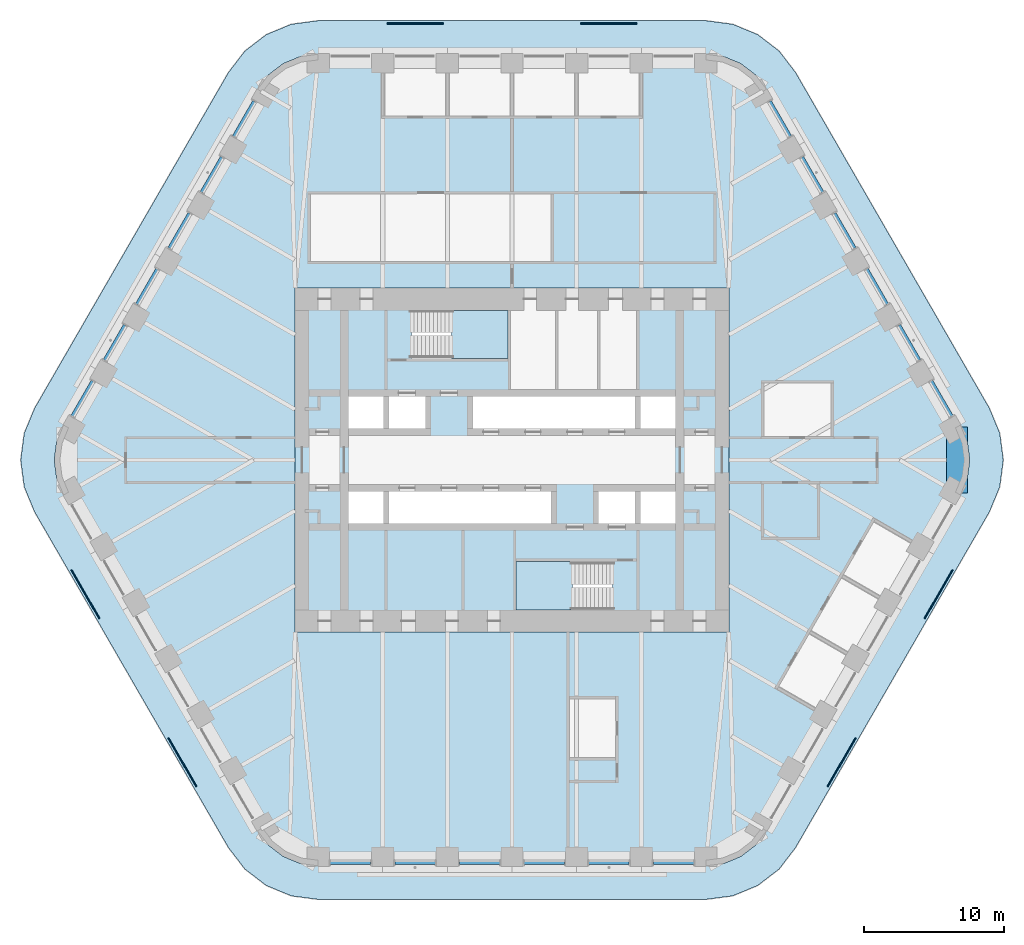
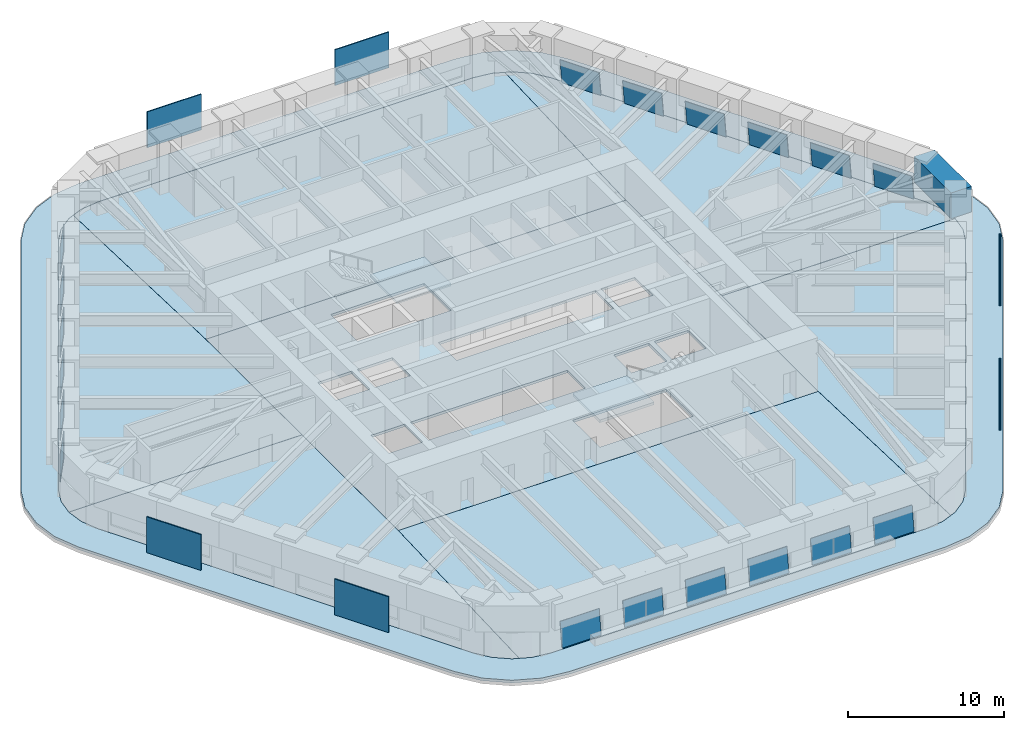
# One storey, part 13 of 20: 24 plates, 10 slabs, 1 beam, 20 elements without a shape of their own.
"""IFC4 building model written with IfcOpenShell, lengths in metres."""

from ifc_helpers import new_model, si_unit, direction, frame, origin, origin_2d, place, context, subcontext, project, spatial, polyline, rectangle, outline, extrude, material, layer, layer_set, material_profile, profile_set, type_object, element, aggregate, save


model = new_model("IFC4")

# Units and contexts
model_context = context("Model", 3, precision=1e-05, world=origin(), true_north=direction((0.0, 1.0)))
body_context = subcontext(model_context, "Body", "Model", "MODEL_VIEW")
ifc_project = project(units=[si_unit("LENGTHUNIT", "METRE"), si_unit("AREAUNIT", "SQUARE_METRE"), si_unit("VOLUMEUNIT", "CUBIC_METRE"), si_unit("PLANEANGLEUNIT", "RADIAN"), si_unit("MASSUNIT", "GRAM", prefix="KILO")], contexts=[model_context])

# Site, building, storey
site_placement = place(None, origin())
site = spatial("IfcSite", under=ifc_project, at=site_placement, CompositionType="ELEMENT")
building_placement = place(site_placement, origin())
building = spatial("IfcBuilding", under=site, at=building_placement, Name="Tarfa Lantern Tower", CompositionType="ELEMENT")
storey_placement = place(building_placement, frame((0.0, 0.0, 223.89990234375)))
storey = spatial("IfcBuildingStorey", under=building, at=storey_placement, Name="L50", CompositionType="ELEMENT", Elevation=223.89990234375)

# Beam
ifc_material_1 = material(Name="Concrete C80/95", Category="concrete")
ifc_material_profile = material_profile(ifc_material_1, rectangle(XDim=1.5, YDim=2.0, at=origin_2d()), Name="RC 1500x2000")
ifc_profile_set = profile_set([ifc_material_profile], Name="Concrete C80/95")
beam_type = type_object("IfcBeamType", Name="RB3 RC 1500x2000", PredefinedType="BEAM", material=ifc_profile_set)
beam_placement = place(storey_placement, frame((31.800537109375, -2.360107421875, 3.0), z_axis=(0.0, 1.0, 0.0), x_axis=(-1.0, 0.0, 0.0)))
element("IfcBeam", 1, at=beam_placement, inside=storey, type_object=beam_type, Name="Edge beam SE6", PredefinedType="BEAM", context=body_context, shape_type="SweptSolid", body=[
    extrude(rectangle(XDim=1.5, YDim=2.0, at=origin_2d()), origin(), (0.0, 0.0, 1.0), 4.72021484375),
])

# Slab
ifc_material_2 = material(Name="Concrete C40/50", Category="concrete")
ifc_layer_1 = layer(ifc_material_2, 0.199951171875)
ifc_layer_set_1 = layer_set([ifc_layer_1], Name="BS2 BALCONY SLAB 200")
slab_type_1 = type_object("IfcSlabType", Name="BS2 BALCONY SLAB 200", PredefinedType="FLOOR", material=ifc_layer_set_1)
slab_1_placement = place(storey_placement, frame((0.0, 0.0, -0.199951171875)))
element("IfcSlab", 2, at=slab_1_placement, inside=storey, type_object=slab_type_1, Name="Planted ledge L50", PredefinedType="FLOOR", context=body_context, shape_type="SweptSolid", body=[
    extrude(outline(polyline([(34.121337890625, 3.699951171875), (20.264892578125, 27.699951171875), (19.089111328125, 29.232666015625), (17.556396484375, 30.40869140625), (15.771728515625, 31.14794921875), (13.8564453125, 31.39990234375), (-13.8564453125, 31.39990234375), (-15.771728515625, 31.14794921875), (-17.556396484375, 30.40869140625), (-19.089111328125, 29.232666015625), (-20.264892578125, 27.699951171875), (-34.121337890625, 3.699951171875), (-34.860595703125, 1.915283203125), (-35.11279296875, 0.0), (-34.860595703125, -1.915283203125), (-34.121337890625, -3.699951171875), (-20.264892578125, -27.699951171875), (-19.089111328125, -29.232666015625), (-17.556396484375, -30.40869140625), (-15.771728515625, -31.14794921875), (-13.8564453125, -31.39990234375), (13.8564453125, -31.39990234375), (15.771728515625, -31.14794921875), (17.556396484375, -30.40869140625), (19.089111328125, -29.232666015625), (20.264892578125, -27.699951171875), (34.121337890625, -3.699951171875), (34.860595703125, -1.915283203125), (35.11279296875, 0.0), (34.860595703125, 1.915283203125), (34.121337890625, 3.699951171875)]), holes=[polyline([(32.04296875, 2.5), (18.1865234375, 26.5), (17.391845703125, 27.53564453125), (16.3564453125, 28.330078125), (15.150390625, 28.82958984375), (13.8564453125, 29.0), (-13.8564453125, 29.0), (-15.150390625, 28.82958984375), (-16.3564453125, 28.330078125), (-17.391845703125, 27.53564453125), (-18.1865234375, 26.5), (-32.04296875, 2.5), (-32.54248046875, 1.294189453125), (-32.712890625, 0.0), (-32.54248046875, -1.294189453125), (-32.04296875, -2.5), (-18.1865234375, -26.5), (-17.391845703125, -27.53564453125), (-16.3564453125, -28.330078125), (-15.150390625, -28.82958984375), (-13.8564453125, -29.0), (13.8564453125, -29.0), (15.150390625, -28.82958984375), (16.3564453125, -28.330078125), (17.391845703125, -27.53564453125), (18.1865234375, -26.5), (32.04296875, -2.5), (32.54248046875, -1.294189453125), (32.712890625, 0.0), (32.54248046875, 1.294189453125), (32.04296875, 2.5)])]), origin(), (0.0, 0.0, 1.0), 0.199951171875),
])

# Curtain wall, plate
ifc_material_3 = material(Name="Aluminium framed curtain wall", Category="aluminium")
curtain_wall_type = type_object("IfcCurtainWallType", Name="CW3 CANTED GLAZING HIGH ZONE 2000", PredefinedType="USERDEFINED", material=ifc_material_3)
curtain_wall_1_placement = place(storey_placement, origin())
curtain_wall_1 = element("IfcCurtainWall", 3, at=curtain_wall_1_placement, inside=storey, type_object=curtain_wall_type, Name="CW3 NE L50", ObjectType="CURTAIN WALL", PredefinedType="USERDEFINED")
ifc_material_4 = material(Name="Laminated double glazing", Category="glass")
ifc_layer_2 = layer(ifc_material_4, 0.028076171875)
ifc_layer_set_2 = layer_set([ifc_layer_2], Name="CWP1 DOUBLE GLAZED PANEL")
plate_type_1 = type_object("IfcPlateType", Name="CWP1 DOUBLE GLAZED PANEL", PredefinedType="CURTAIN_PANEL", material=ifc_layer_set_2)
plate_1_placement = place(storey_placement, frame((31.52392578125, 3.19921875, 0.0), z_axis=(0.859301462818, 0.496192715477, 0.124071693411), x_axis=(-0.500056524144, 0.865992767095, 0.0)))
plate_1 = element("IfcPlate", 4, at=plate_1_placement, type_object=plate_type_1, Name="CW3 panel 1.1", PredefinedType="CURTAIN_PANEL", context=body_context, shape_type="SweptSolid", body=[
    extrude(outline(polyline([(0.0, 0.0), (2.888833578560424, -2.7755575615628914e-17), (2.88871543530755, 1.950126723393481), (-0.000118143252874362, 1.950126723393481), (0.0, 0.0)])), origin(), (0.0, 0.0, -1.0), 0.028076171875),
])
aggregate(curtain_wall_1, [plate_1])

curtain_wall_2_placement = place(storey_placement, origin())
curtain_wall_2 = element("IfcCurtainWall", 5, at=curtain_wall_2_placement, inside=storey, type_object=curtain_wall_type, Name="CW3 NE L50", ObjectType="CURTAIN WALL", PredefinedType="USERDEFINED")
plate_2_placement = place(storey_placement, frame((29.21435546875, 7.19921875, 0.0), z_axis=(0.859337777236, 0.496129822399, 0.124071688718), x_axis=(-0.499993141028, 0.866029363778, 0.0)))
plate_2 = element("IfcPlate", 6, at=plate_2_placement, type_object=plate_type_1, Name="CW3 panel 1.1", PredefinedType="CURTAIN_PANEL", context=body_context, shape_type="SweptSolid", body=[
    extrude(outline(polyline([(0.0, 0.0), (2.8887115021851173, 2.7755575615628914e-17), (2.8885756502729745, 1.9501267222402445), (-0.00013585191214296466, 1.9501267222402445), (0.0, 0.0)])), origin(), (0.0, 0.0, -1.0), 0.028076171875),
])
aggregate(curtain_wall_2, [plate_2])

curtain_wall_3_placement = place(storey_placement, origin())
curtain_wall_3 = element("IfcCurtainWall", 7, at=curtain_wall_3_placement, inside=storey, type_object=curtain_wall_type, Name="CW3 NE L50", ObjectType="CURTAIN WALL", PredefinedType="USERDEFINED")
plate_3_placement = place(storey_placement, frame((26.905029296875, 11.19921875, 0.0), z_axis=(0.859337777236, 0.496129822399, 0.124071688718), x_axis=(-0.499993141028, 0.866029363778, 0.0)))
plate_3 = element("IfcPlate", 8, at=plate_3_placement, type_object=plate_type_1, Name="CW3 panel 1.1", PredefinedType="CURTAIN_PANEL", context=body_context, shape_type="SweptSolid", body=[
    extrude(outline(polyline([(0.0, 0.0), (2.8887115021851173, 2.7755575615628914e-17), (2.8885756502729745, 1.9501267222402445), (-0.00013585191214296466, 1.9501267222402445), (0.0, 0.0)])), origin(), (0.0, 0.0, -1.0), 0.028076171875),
])
aggregate(curtain_wall_3, [plate_3])

curtain_wall_4_placement = place(storey_placement, origin())
curtain_wall_4 = element("IfcCurtainWall", 9, at=curtain_wall_4_placement, inside=storey, type_object=curtain_wall_type, Name="CW3 NE L50", ObjectType="CURTAIN WALL", PredefinedType="USERDEFINED")
plate_4_placement = place(storey_placement, frame((24.595703125, 15.19921875, 0.0), z_axis=(0.859301462818, 0.496192715477, 0.124071693411), x_axis=(-0.500056524144, 0.865992767095, 0.0)))
plate_4 = element("IfcPlate", 10, at=plate_4_placement, type_object=plate_type_1, Name="CW3 panel 1.1", PredefinedType="CURTAIN_PANEL", context=body_context, shape_type="SweptSolid", body=[
    extrude(outline(polyline([(0.0, 0.0), (2.888833578560424, -2.7755575615628914e-17), (2.88871543530755, 1.950126723393481), (-0.000118143252874362, 1.950126723393481), (0.0, 0.0)])), origin(), (0.0, 0.0, -1.0), 0.028076171875),
])
aggregate(curtain_wall_4, [plate_4])

curtain_wall_5_placement = place(storey_placement, origin())
curtain_wall_5 = element("IfcCurtainWall", 11, at=curtain_wall_5_placement, inside=storey, type_object=curtain_wall_type, Name="CW3 NE L50", ObjectType="CURTAIN WALL", PredefinedType="USERDEFINED")
plate_5_placement = place(storey_placement, frame((22.2861328125, 19.19921875, 0.0), z_axis=(0.859337777236, 0.496129822399, 0.124071688718), x_axis=(-0.499993141028, 0.866029363778, 0.0)))
plate_5 = element("IfcPlate", 12, at=plate_5_placement, type_object=plate_type_1, Name="CW3 panel 1.1", PredefinedType="CURTAIN_PANEL", context=body_context, shape_type="SweptSolid", body=[
    extrude(outline(polyline([(0.0, 0.0), (2.8887115021851173, 2.7755575615628914e-17), (2.8885756502729745, 1.9501267222402445), (-0.00013585191214296466, 1.9501267222402445), (0.0, 0.0)])), origin(), (0.0, 0.0, -1.0), 0.028076171875),
])
aggregate(curtain_wall_5, [plate_5])

curtain_wall_6_placement = place(storey_placement, origin())
curtain_wall_6 = element("IfcCurtainWall", 13, at=curtain_wall_6_placement, inside=storey, type_object=curtain_wall_type, Name="CW3 NE L50", ObjectType="CURTAIN WALL", PredefinedType="USERDEFINED")
plate_6_placement = place(storey_placement, frame((19.976806640625, 23.19921875, 0.0), z_axis=(0.859337777236, 0.496129822399, 0.124071688718), x_axis=(-0.499993141028, 0.866029363778, 0.0)))
plate_6 = element("IfcPlate", 14, at=plate_6_placement, type_object=plate_type_1, Name="CW3 panel 1.1", PredefinedType="CURTAIN_PANEL", context=body_context, shape_type="SweptSolid", body=[
    extrude(outline(polyline([(0.0, 0.0), (2.8887115021851173, 2.7755575615628914e-17), (2.8885756502729745, 1.9501267222402445), (-0.00013585191214296466, 1.9501267222402445), (0.0, 0.0)])), origin(), (0.0, 0.0, -1.0), 0.028076171875),
])
aggregate(curtain_wall_6, [plate_6])

curtain_wall_7_placement = place(storey_placement, origin())
curtain_wall_7 = element("IfcCurtainWall", 15, at=curtain_wall_7_placement, inside=storey, type_object=curtain_wall_type, Name="CW3 NW L50", ObjectType="CURTAIN WALL", PredefinedType="USERDEFINED")
plate_7_placement = place(storey_placement, frame((-18.532470703125, 25.700927734375, 0.0), z_axis=(-0.859337777236, 0.496129822399, 0.124071688718), x_axis=(-0.499993141028, -0.866029363778, 0.0)))
plate_7 = element("IfcPlate", 16, at=plate_7_placement, type_object=plate_type_1, Name="CW3 panel 1.1", PredefinedType="CURTAIN_PANEL", context=body_context, shape_type="SweptSolid", body=[
    extrude(outline(polyline([(0.0, 0.0), (2.8887115021851173, -2.7755575615628914e-17), (2.888847354097261, 1.9501267222402445), (0.00013585191214296466, 1.9501267222402445), (0.0, 0.0)])), origin(), (0.0, 0.0, -1.0), 0.028076171875),
])
aggregate(curtain_wall_7, [plate_7])

curtain_wall_8_placement = place(storey_placement, origin())
curtain_wall_8 = element("IfcCurtainWall", 17, at=curtain_wall_8_placement, inside=storey, type_object=curtain_wall_type, Name="CW3 NW L50", ObjectType="CURTAIN WALL", PredefinedType="USERDEFINED")
plate_8_placement = place(storey_placement, frame((-20.841796875, 21.700927734375, 0.0), z_axis=(-0.859337777236, 0.496129822399, 0.124071688718), x_axis=(-0.499993141028, -0.866029363778, 0.0)))
plate_8 = element("IfcPlate", 18, at=plate_8_placement, type_object=plate_type_1, Name="CW3 panel 1.1", PredefinedType="CURTAIN_PANEL", context=body_context, shape_type="SweptSolid", body=[
    extrude(outline(polyline([(0.0, 0.0), (2.8887115021851173, -2.7755575615628914e-17), (2.888847354097261, 1.9501267222402445), (0.00013585191214296466, 1.9501267222402445), (0.0, 0.0)])), origin(), (0.0, 0.0, -1.0), 0.028076171875),
])
aggregate(curtain_wall_8, [plate_8])

curtain_wall_9_placement = place(storey_placement, origin())
curtain_wall_9 = element("IfcCurtainWall", 19, at=curtain_wall_9_placement, inside=storey, type_object=curtain_wall_type, Name="CW3 NW L50", ObjectType="CURTAIN WALL", PredefinedType="USERDEFINED")
plate_9_placement = place(storey_placement, frame((-23.151123046875, 17.700927734375, 0.0), z_axis=(-0.859301462818, 0.496192715477, 0.124071693411), x_axis=(-0.500056524144, -0.865992767095, 0.0)))
plate_9 = element("IfcPlate", 20, at=plate_9_placement, type_object=plate_type_1, Name="CW3 panel 1.1", PredefinedType="CURTAIN_PANEL", context=body_context, shape_type="SweptSolid", body=[
    extrude(outline(polyline([(0.0, 0.0), (2.888833578560424, 2.7755575615628914e-17), (2.8889517218132985, 1.950126723393481), (0.000118143252874362, 1.950126723393481), (0.0, 0.0)])), origin(), (0.0, 0.0, -1.0), 0.028076171875),
])
aggregate(curtain_wall_9, [plate_9])

curtain_wall_10_placement = place(storey_placement, origin())
curtain_wall_10 = element("IfcCurtainWall", 21, at=curtain_wall_10_placement, inside=storey, type_object=curtain_wall_type, Name="CW3 NW L50", ObjectType="CURTAIN WALL", PredefinedType="USERDEFINED")
plate_10_placement = place(storey_placement, frame((-25.460693359375, 13.700927734375, 0.0), z_axis=(-0.859337777236, 0.496129822399, 0.124071688718), x_axis=(-0.499993141028, -0.866029363778, 0.0)))
plate_10 = element("IfcPlate", 22, at=plate_10_placement, type_object=plate_type_1, Name="CW3 panel 1.1", PredefinedType="CURTAIN_PANEL", context=body_context, shape_type="SweptSolid", body=[
    extrude(outline(polyline([(0.0, 0.0), (2.8887115021851173, -2.7755575615628914e-17), (2.888847354097261, 1.9501267222402445), (0.00013585191214296466, 1.9501267222402445), (0.0, 0.0)])), origin(), (0.0, 0.0, -1.0), 0.028076171875),
])
aggregate(curtain_wall_10, [plate_10])

curtain_wall_11_placement = place(storey_placement, origin())
curtain_wall_11 = element("IfcCurtainWall", 23, at=curtain_wall_11_placement, inside=storey, type_object=curtain_wall_type, Name="CW3 NW L50", ObjectType="CURTAIN WALL", PredefinedType="USERDEFINED")
plate_11_placement = place(storey_placement, frame((-27.77001953125, 9.700927734375, 0.0), z_axis=(-0.859337777236, 0.496129822399, 0.124071688718), x_axis=(-0.499993141028, -0.866029363778, 0.0)))
plate_11 = element("IfcPlate", 24, at=plate_11_placement, type_object=plate_type_1, Name="CW3 panel 1.1", PredefinedType="CURTAIN_PANEL", context=body_context, shape_type="SweptSolid", body=[
    extrude(outline(polyline([(0.0, 0.0), (2.8887115021851173, -2.7755575615628914e-17), (2.888847354097261, 1.9501267222402445), (0.00013585191214296466, 1.9501267222402445), (0.0, 0.0)])), origin(), (0.0, 0.0, -1.0), 0.028076171875),
])
aggregate(curtain_wall_11, [plate_11])

curtain_wall_12_placement = place(storey_placement, origin())
curtain_wall_12 = element("IfcCurtainWall", 25, at=curtain_wall_12_placement, inside=storey, type_object=curtain_wall_type, Name="CW3 NW L50", ObjectType="CURTAIN WALL", PredefinedType="USERDEFINED")
plate_12_placement = place(storey_placement, frame((-30.079345703125, 5.700927734375, 0.0), z_axis=(-0.859301462818, 0.496192715477, 0.124071693411), x_axis=(-0.500056524144, -0.865992767095, 0.0)))
plate_12 = element("IfcPlate", 26, at=plate_12_placement, type_object=plate_type_1, Name="CW3 panel 1.1", PredefinedType="CURTAIN_PANEL", context=body_context, shape_type="SweptSolid", body=[
    extrude(outline(polyline([(0.0, 0.0), (2.888833578560424, 2.7755575615628914e-17), (2.8889517218132985, 1.950126723393481), (0.000118143252874362, 1.950126723393481), (0.0, 0.0)])), origin(), (0.0, 0.0, -1.0), 0.028076171875),
])
aggregate(curtain_wall_12, [plate_12])

curtain_wall_13_placement = place(storey_placement, origin())
curtain_wall_13 = element("IfcCurtainWall", 27, at=curtain_wall_13_placement, inside=storey, type_object=curtain_wall_type, Name="CW3 S L50", ObjectType="CURTAIN WALL", PredefinedType="USERDEFINED")
plate_13_placement = place(storey_placement, frame((-12.991455078125, -28.89990234375, 0.0), z_axis=(0.0, -0.992289428797, 0.123942282931), x_axis=(1.0, 0.0, 0.0)))
plate_13 = element("IfcPlate", 28, at=plate_13_placement, type_object=plate_type_1, Name="CW3 panel 1.1", PredefinedType="CURTAIN_PANEL", context=body_context, shape_type="SweptSolid", body=[
    extrude(outline(polyline([(0.0, 0.0), (2.888916015625, 0.0), (2.888916015625, 1.9500949396350138), (0.0, 1.9500949396350138), (0.0, 0.0)])), origin(), (0.0, 0.0, -1.0), 0.028076171875),
])
aggregate(curtain_wall_13, [plate_13])

curtain_wall_14_placement = place(storey_placement, origin())
curtain_wall_14 = element("IfcCurtainWall", 29, at=curtain_wall_14_placement, inside=storey, type_object=curtain_wall_type, Name="CW3 S L50", ObjectType="CURTAIN WALL", PredefinedType="USERDEFINED")
plate_14_placement = place(storey_placement, frame((-8.37255859375, -28.89990234375, 0.0), z_axis=(0.0, -0.992289428797, 0.123942282931), x_axis=(1.0, 0.0, 0.0)))
plate_14 = element("IfcPlate", 30, at=plate_14_placement, type_object=plate_type_1, Name="CW3 panel 1.1", PredefinedType="CURTAIN_PANEL", context=body_context, shape_type="SweptSolid", body=[
    extrude(outline(polyline([(0.0, 0.0), (2.888671875, 0.0), (2.888671875, 1.9500949396350138), (0.0, 1.9500949396350138), (0.0, 0.0)])), origin(), (0.0, 0.0, -1.0), 0.028076171875),
])
aggregate(curtain_wall_14, [plate_14])

curtain_wall_15_placement = place(storey_placement, origin())
curtain_wall_15 = element("IfcCurtainWall", 31, at=curtain_wall_15_placement, inside=storey, type_object=curtain_wall_type, Name="CW3 S L50", ObjectType="CURTAIN WALL", PredefinedType="USERDEFINED")
plate_15_placement = place(storey_placement, frame((-3.75390625, -28.89990234375, 0.0), z_axis=(0.0, -0.992289428797, 0.123942282931), x_axis=(1.0, 0.0, 0.0)))
plate_15 = element("IfcPlate", 32, at=plate_15_placement, type_object=plate_type_1, Name="CW3 panel 1.1", PredefinedType="CURTAIN_PANEL", context=body_context, shape_type="SweptSolid", body=[
    extrude(outline(polyline([(0.0, 0.0), (2.888916015625, 0.0), (2.888916015625, 1.9500949396350138), (0.0, 1.9500949396350138), (0.0, 0.0)])), origin(), (0.0, 0.0, -1.0), 0.028076171875),
])
aggregate(curtain_wall_15, [plate_15])

curtain_wall_16_placement = place(storey_placement, origin())
curtain_wall_16 = element("IfcCurtainWall", 33, at=curtain_wall_16_placement, inside=storey, type_object=curtain_wall_type, Name="CW3 S L50", ObjectType="CURTAIN WALL", PredefinedType="USERDEFINED")
plate_16_placement = place(storey_placement, frame((0.864990234375, -28.89990234375, 0.0), z_axis=(0.0, -0.992289428797, 0.123942282931), x_axis=(1.0, 0.0, 0.0)))
plate_16 = element("IfcPlate", 34, at=plate_16_placement, type_object=plate_type_1, Name="CW3 panel 1.1", PredefinedType="CURTAIN_PANEL", context=body_context, shape_type="SweptSolid", body=[
    extrude(outline(polyline([(0.0, 0.0), (2.888916015625, 0.0), (2.888916015625, 1.9500949396350138), (0.0, 1.9500949396350138), (0.0, 0.0)])), origin(), (0.0, 0.0, -1.0), 0.028076171875),
])
aggregate(curtain_wall_16, [plate_16])

curtain_wall_17_placement = place(storey_placement, origin())
curtain_wall_17 = element("IfcCurtainWall", 35, at=curtain_wall_17_placement, inside=storey, type_object=curtain_wall_type, Name="CW3 S L50", ObjectType="CURTAIN WALL", PredefinedType="USERDEFINED")
plate_17_placement = place(storey_placement, frame((5.48388671875, -28.89990234375, 0.0), z_axis=(0.0, -0.992289428797, 0.123942282931), x_axis=(1.0, 0.0, 0.0)))
plate_17 = element("IfcPlate", 36, at=plate_17_placement, type_object=plate_type_1, Name="CW3 panel 1.1", PredefinedType="CURTAIN_PANEL", context=body_context, shape_type="SweptSolid", body=[
    extrude(outline(polyline([(0.0, 0.0), (2.888671875, 0.0), (2.888671875, 1.9500949396350138), (0.0, 1.9500949396350138), (0.0, 0.0)])), origin(), (0.0, 0.0, -1.0), 0.028076171875),
])
aggregate(curtain_wall_17, [plate_17])

curtain_wall_18_placement = place(storey_placement, origin())
curtain_wall_18 = element("IfcCurtainWall", 37, at=curtain_wall_18_placement, inside=storey, type_object=curtain_wall_type, Name="CW3 S L50", ObjectType="CURTAIN WALL", PredefinedType="USERDEFINED")
plate_18_placement = place(storey_placement, frame((10.1025390625, -28.89990234375, 0.0), z_axis=(0.0, -0.992289428797, 0.123942282931), x_axis=(1.0, 0.0, 0.0)))
plate_18 = element("IfcPlate", 38, at=plate_18_placement, type_object=plate_type_1, Name="CW3 panel 1.1", PredefinedType="CURTAIN_PANEL", context=body_context, shape_type="SweptSolid", body=[
    extrude(outline(polyline([(0.0, 0.0), (2.888916015625, 0.0), (2.888916015625, 1.9500949396350138), (0.0, 1.9500949396350138), (0.0, 0.0)])), origin(), (0.0, 0.0, -1.0), 0.028076171875),
])
aggregate(curtain_wall_18, [plate_18])

# Slabs
ifc_layer_3 = layer(ifc_material_2, 0.199951171875)
ifc_layer_set_3 = layer_set([ifc_layer_3], Name="FS1 FLOOR SLAB 200")
slab_type_2 = type_object("IfcSlabType", Name="FS1 FLOOR SLAB 200", PredefinedType="FLOOR", material=ifc_layer_set_3)
slab_2_placement = place(storey_placement, frame((0.0, 0.0, -0.199951171875)))
element("IfcSlab", 39, at=slab_2_placement, inside=storey, type_object=slab_type_2, Name="Floor slab L50", PredefinedType="FLOOR", context=body_context, shape_type="SweptSolid", body=[
    extrude(outline(polyline([(-15.5, -12.300048828125), (15.5, -12.300048828125), (15.5, 12.300048828125), (-15.5, 12.300048828125), (-15.5, -12.300048828125)]), holes=[polyline([(-11.699951171875, 2.25), (-9.199951171875, 2.25), (-9.199951171875, 4.550048828125), (-11.699951171875, 4.550048828125), (-11.699951171875, 2.25)]), polyline([(-8.800048828125, 2.25), (-6.199951171875, 2.25), (-6.199951171875, 4.550048828125), (-8.800048828125, 4.550048828125), (-8.800048828125, 2.25)]), polyline([(-2.800048828125, 2.25), (8.800048828125, 2.25), (8.800048828125, 4.550048828125), (-2.800048828125, 4.550048828125), (-2.800048828125, 2.25)]), polyline([(9.199951171875, 2.25), (11.699951171875, 2.25), (11.699951171875, 4.550048828125), (9.199951171875, 4.550048828125), (9.199951171875, 2.25)]), polyline([(11.699951171875, -2.25), (9.199951171875, -2.25), (9.199951171875, -4.550048828125), (11.699951171875, -4.550048828125), (11.699951171875, -2.25)]), polyline([(8.800048828125, -2.25), (6.199951171875, -2.25), (6.199951171875, -4.550048828125), (8.800048828125, -4.550048828125), (8.800048828125, -2.25)]), polyline([(2.800048828125, -2.25), (-8.800048828125, -2.25), (-8.800048828125, -4.550048828125), (2.800048828125, -4.550048828125), (2.800048828125, -2.25)]), polyline([(-9.199951171875, -2.25), (-11.699951171875, -2.25), (-11.699951171875, -4.550048828125), (-9.199951171875, -4.550048828125), (-9.199951171875, -2.25)]), polyline([(-7.199951171875, 7.25), (-0.300048828125, 7.25), (-0.300048828125, 10.699951171875), (-7.199951171875, 10.699951171875), (-7.199951171875, 7.25)]), polyline([(7.199951171875, -7.25), (0.300048828125, -7.25), (0.300048828125, -10.699951171875), (7.199951171875, -10.699951171875), (7.199951171875, -7.25)])]), origin(), (0.0, 0.0, 1.0), 0.199951171875),
])
slab_3_placement = place(storey_placement, frame((0.0, 0.0, -0.199951171875)))
element("IfcSlab", 40, at=slab_3_placement, inside=storey, type_object=slab_type_2, Name="Floor slab L50 NE bay", PredefinedType="FLOOR", context=body_context, shape_type="SweptSolid", body=[
    extrude(outline(polyline([(32.041259765625, 2.4990234375), (18.184814453125, 26.498779296875), (17.390625, 27.5341796875), (16.35546875, 28.328369140625), (15.927490234375, 28.505615234375), (15.501953125, 12.300048828125), (15.501953125, 0.001953125), (32.71044921875, 0.001953125), (32.54052734375, 1.29345703125), (32.041259765625, 2.4990234375)])), origin(), (0.0, 0.0, 1.0), 0.199951171875),
])
slab_4_placement = place(storey_placement, frame((0.0, 0.0, -0.199951171875)))
element("IfcSlab", 41, at=slab_4_placement, inside=storey, type_object=slab_type_2, Name="Floor slab L50 N bay", PredefinedType="FLOOR", context=body_context, shape_type="SweptSolid", body=[
    extrude(outline(polyline([(-15.498046875, 12.302001953125), (15.498046875, 12.302001953125), (15.923583984375, 28.50732421875), (15.14990234375, 28.82763671875), (13.856201171875, 28.998046875), (-13.856201171875, 28.998046875), (-15.14990234375, 28.82763671875), (-15.923583984375, 28.50732421875), (-15.498046875, 12.302001953125)])), origin(), (0.0, 0.0, 1.0), 0.199951171875),
])
slab_5_placement = place(storey_placement, frame((0.0, 0.0, -0.199951171875)))
element("IfcSlab", 42, at=slab_5_placement, inside=storey, type_object=slab_type_2, Name="Floor slab L50 NW bay", PredefinedType="FLOOR", context=body_context, shape_type="SweptSolid", body=[
    extrude(outline(polyline([(-15.501953125, 0.001953125), (-15.501953125, 12.300048828125), (-15.927490234375, 28.505615234375), (-16.35546875, 28.328369140625), (-17.390625, 27.5341796875), (-18.184814453125, 26.498779296875), (-32.041259765625, 2.4990234375), (-32.54052734375, 1.29345703125), (-32.71044921875, 0.001953125), (-15.501953125, 0.001953125)])), origin(), (0.0, 0.0, 1.0), 0.199951171875),
])
slab_6_placement = place(storey_placement, frame((0.0, 0.0, -0.199951171875)))
element("IfcSlab", 43, at=slab_6_placement, inside=storey, type_object=slab_type_2, Name="Floor slab L50 SW bay", PredefinedType="FLOOR", context=body_context, shape_type="SweptSolid", body=[
    extrude(outline(polyline([(-15.501953125, -12.300048828125), (-15.501953125, -0.001953125), (-32.71044921875, -0.001953125), (-32.54052734375, -1.29345703125), (-32.041259765625, -2.4990234375), (-18.184814453125, -26.498779296875), (-17.390625, -27.5341796875), (-16.35546875, -28.328369140625), (-15.927490234375, -28.505615234375), (-15.501953125, -12.300048828125)])), origin(), (0.0, 0.0, 1.0), 0.199951171875),
])
slab_7_placement = place(storey_placement, frame((0.0, 0.0, -0.199951171875)))
element("IfcSlab", 44, at=slab_7_placement, inside=storey, type_object=slab_type_2, Name="Floor slab L50 S bay", PredefinedType="FLOOR", context=body_context, shape_type="SweptSolid", body=[
    extrude(outline(polyline([(15.498046875, -12.302001953125), (-15.498046875, -12.302001953125), (-15.923583984375, -28.50732421875), (-15.14990234375, -28.82763671875), (-13.856201171875, -28.998046875), (13.856201171875, -28.998046875), (15.14990234375, -28.82763671875), (15.923583984375, -28.50732421875), (15.498046875, -12.302001953125)])), origin(), (0.0, 0.0, 1.0), 0.199951171875),
])
slab_8_placement = place(storey_placement, frame((0.0, 0.0, -0.199951171875)))
element("IfcSlab", 45, at=slab_8_placement, inside=storey, type_object=slab_type_2, Name="Floor slab L50 SE bay", PredefinedType="FLOOR", context=body_context, shape_type="SweptSolid", body=[
    extrude(outline(polyline([(15.501953125, -0.001953125), (15.501953125, -12.300048828125), (15.927490234375, -28.505615234375), (16.35546875, -28.328369140625), (17.390625, -27.5341796875), (18.184814453125, -26.498779296875), (32.041259765625, -2.4990234375), (32.54052734375, -1.29345703125), (32.71044921875, -0.001953125), (15.501953125, -0.001953125)])), origin(), (0.0, 0.0, 1.0), 0.199951171875),
])

# Plates
ifc_material_5 = material(Name="Perforated limestone screen", Category="masonry")
ifc_layer_4 = layer(ifc_material_5, 0.080078125)
ifc_layer_set_4 = layer_set([ifc_layer_4], Name="SC1 STONE SCREEN 80")
plate_type_2 = type_object("IfcPlateType", Name="SC1 STONE SCREEN 80", PredefinedType="USERDEFINED", material=ifc_layer_set_4)
for number, where, z_axis, x_axis, name in (
    (46, (6.92822265625, 31.199951171875, 1.2001953125), (0.0, 0.0, 1.0), (-1.0, 0.0, 0.0), "Stone screen N 1"),
    (47, (-6.92822265625, 31.199951171875, 1.2001953125), (0.0, 0.0, 1.0), (-1.0, 0.0, 0.0), "Stone screen N 2"),
    (48, (-30.484130859375, -9.60009765625, 1.2001953125), (0.0, 0.0, 1.0), (0.5, -0.866025403784, 0.0), "Stone screen SW 1"),
    (49, (-23.555908203125, -21.60009765625, 1.2001953125), (0.0, 0.0, 1.0), (0.5, -0.866025403784, 0.0), "Stone screen SW 2"),
    (50, (23.555908203125, -21.60009765625, 1.2001953125), (0.0, 0.0, 1.0), (0.5, 0.866025403784, 0.0), "Stone screen SE 1"),
    (51, (30.484130859375, -9.60009765625, 1.2001953125), (0.0, 0.0, 1.0), (0.5, 0.866025403784, 0.0), "Stone screen SE 2"),
):
    element("IfcPlate", number, at=place(storey_placement, frame(where, z_axis=z_axis, x_axis=x_axis)), inside=storey, type_object=plate_type_2, Name=name, ObjectType="SCREEN", PredefinedType="USERDEFINED", context=body_context, shape_type="SweptSolid", body=[
        extrude(rectangle(XDim=4.0, YDim=0.080078125, at=origin_2d()), origin(), (0.0, 0.0, 1.0), 2.800048828125),
    ])

# Stair, slab
stair_type = type_object("IfcStairType", Name="ST-T10 HALF-TURN STAIR 4200 RISE", PredefinedType="HALF_TURN_STAIR", material=ifc_material_2)
stair_1_placement = place(storey_placement, origin())
stair_1 = element("IfcStair", 52, at=stair_1_placement, inside=storey, type_object=stair_type, Name="Stair ST1", PredefinedType="HALF_TURN_STAIR")
ifc_layer_5 = layer(ifc_material_2, 0.199951171875)
ifc_layer_set_5 = layer_set([ifc_layer_5], Name="SL1 STAIR LANDING 200")
slab_type_3 = type_object("IfcSlabType", Name="SL1 STAIR LANDING 200", PredefinedType="LANDING", material=ifc_layer_set_5)
slab_9_placement = place(storey_placement, frame((0.0, 0.0, 1.900146484375)))
slab_9 = element("IfcSlab", 53, at=slab_9_placement, type_object=slab_type_3, Name="ST1 landing 1", PredefinedType="LANDING", context=body_context, shape_type="SweptSolid", body=[
    extrude(outline(polyline([(-4.320068359375, 7.25), (-0.300048828125, 7.25), (-0.300048828125, 10.699951171875), (-4.320068359375, 10.699951171875), (-4.320068359375, 7.25)])), origin(), (0.0, 0.0, 1.0), 0.199951171875),
])
aggregate(stair_1, [slab_9])

stair_2_placement = place(storey_placement, origin())
stair_2 = element("IfcStair", 54, at=stair_2_placement, inside=storey, type_object=stair_type, Name="Stair ST2", PredefinedType="HALF_TURN_STAIR")
slab_10_placement = place(storey_placement, frame((0.0, 0.0, 1.900146484375)))
slab_10 = element("IfcSlab", 55, at=slab_10_placement, type_object=slab_type_3, Name="ST2 landing 1", PredefinedType="LANDING", context=body_context, shape_type="SweptSolid", body=[
    extrude(outline(polyline([(4.320068359375, -7.25), (0.300048828125, -7.25), (0.300048828125, -10.699951171875), (4.320068359375, -10.699951171875), (4.320068359375, -7.25)])), origin(), (0.0, 0.0, 1.0), 0.199951171875),
])
aggregate(stair_2, [slab_10])

save(model, "model.ifc")
